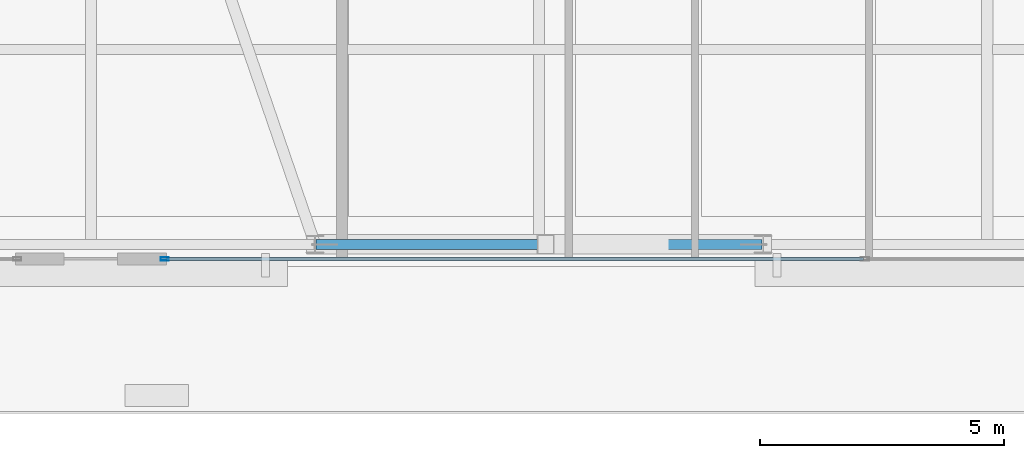
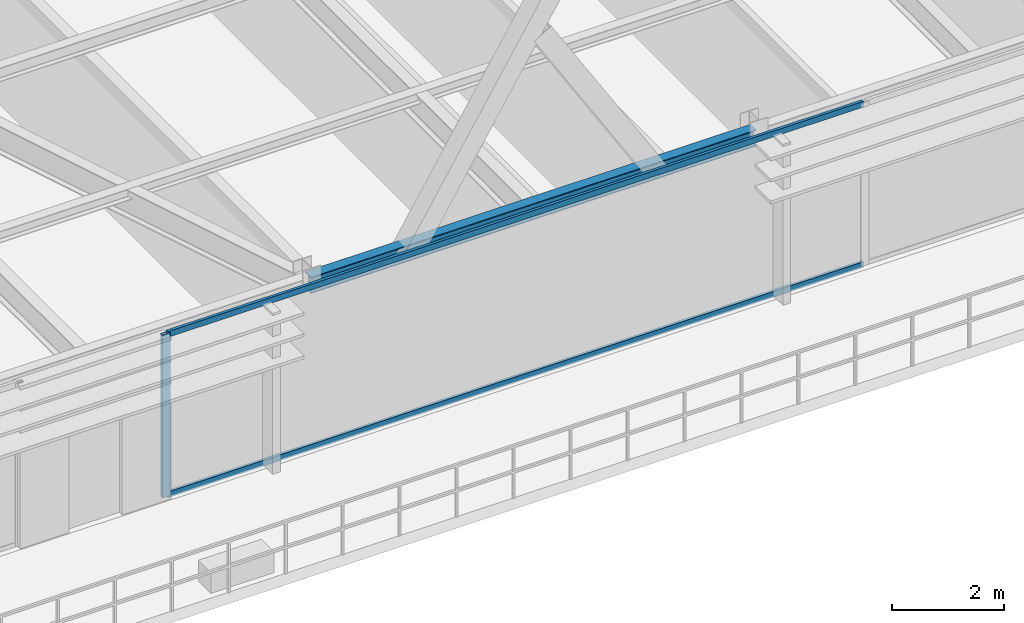
# One storey, part 8 of 33: 3 members, 1 beam, 1 element without a shape of its own.
"""IFC4 building model written with IfcOpenShell, lengths in metres."""

from ifc_helpers import new_model, si_unit, direction, frame, origin, origin_2d, place, context, subcontext, project, spatial, hollow_rectangle, i_section, extrude, source, transform, mapped, material, layer, layer_set, material_profile, profile_set, type_object, type_shapes, element, aggregate, save


model = new_model("IFC4")

# Units and contexts
model_context = context("Model", 3, precision=1e-05, world=origin(), true_north=direction((0.0, 1.0)))
body_context = subcontext(model_context, "Body", "Model", "MODEL_VIEW")
ifc_project = project(units=[si_unit("LENGTHUNIT", "METRE"), si_unit("AREAUNIT", "SQUARE_METRE"), si_unit("VOLUMEUNIT", "CUBIC_METRE"), si_unit("PLANEANGLEUNIT", "RADIAN"), si_unit("MASSUNIT", "GRAM", prefix="KILO")], contexts=[model_context])

# Site, building, storey
site_placement = place(None, origin())
site = spatial("IfcSite", under=ifc_project, at=site_placement, CompositionType="ELEMENT")
building_placement = place(site_placement, origin())
building = spatial("IfcBuilding", under=site, at=building_placement, Name="Varnel Quay Broadcast Tower", CompositionType="ELEMENT")
storey_placement = place(building_placement, frame((0.0, 0.0, 199.800048828125)))
storey = spatial("IfcBuildingStorey", under=building, at=storey_placement, Name="L49", CompositionType="ELEMENT", Elevation=199.800048828125)

# Beam
ifc_material_1 = material(Name="Structural Steel CSA G40.21 350W", Category="steel")
ifc_material_profile_1 = material_profile(ifc_material_1, i_section(OverallWidth=0.205078125, OverallDepth=0.35400390625, WebThickness=0.009521484375, FlangeThickness=0.016845703125, FilletRadius=0.012939453125, at=origin_2d()), Name="W360X79")
ifc_profile_set_1 = profile_set([ifc_material_profile_1], Name="Structural Steel CSA G40.21 350W")
beam_type = type_object("IfcBeamType", Name="Beam_W360X79", PredefinedType="SPANDREL", material=ifc_profile_set_1)
shared_shape_1 = source(origin(), body_context, "Body", "SweptSolid", [
    extrude(i_section(OverallWidth=0.205078125, OverallDepth=0.35400390625, WebThickness=0.009521484375, FlangeThickness=0.016845703125, FilletRadius=0.012939453125, at=origin_2d()), origin(), (0.0, 0.0, 1.0), 9.16015625),
])
type_shapes(beam_type, [shared_shape_1])
beam_placement = place(storey_placement, frame((29.419921875, 10.64990234375, 3.373046875), z_axis=(1.0, 0.0, 0.0), x_axis=(0.0, 1.0, 0.0)))
element("IfcBeam", 1, at=beam_placement, inside=storey, type_object=beam_type, Name="L49 South Spandrel TC-S2-TC-S3", PredefinedType="SPANDREL", context=body_context, shape_type="MappedRepresentation", body=[
    mapped(shared_shape_1, transform((0.0, 0.0, 0.0), x_axis=(1.0, 0.0, 0.0), y_axis=(0.0, 1.0, 0.0), z_axis=(0.0, 0.0, 1.0), scale=1.0)),
])

# Curtain wall, members
ifc_material_2 = material(Name="Anodised Bronze Aluminium 6063-T6", Category="aluminium")
ifc_layer = layer(ifc_material_2, 0.18994140625, Name="Anodised Bronze Aluminium 6063-T6")
ifc_layer_set = layer_set([ifc_layer], Name="Anodised Bronze Aluminium 6063-T6")
curtain_wall_type = type_object("IfcCurtainWallType", Name="CW_UpperTower", PredefinedType="NOTDEFINED", material=ifc_layer_set)
curtain_wall_placement = place(storey_placement, origin())
curtain_wall = element("IfcCurtainWall", 2, at=curtain_wall_placement, inside=storey, type_object=curtain_wall_type, Name="L49 South Unitised Curtain Wall 2", PredefinedType="NOTDEFINED")
ifc_material_profile_2 = material_profile(ifc_material_2, hollow_rectangle(XDim=0.06494140625, YDim=0.1650390625, WallThickness=0.00341796875, at=origin_2d()), Name="ALU65X165X3.5")
ifc_profile_set_2 = profile_set([ifc_material_profile_2], Name="Anodised Bronze Aluminium 6063-T6")
member_type_1 = type_object("IfcMemberType", Name="Mull_CWS-03", PredefinedType="MULLION", material=ifc_profile_set_2)
shared_shape_2 = source(origin(), body_context, "Body", "SweptSolid", [
    extrude(hollow_rectangle(XDim=0.06494140625, YDim=0.1650390625, WallThickness=0.00341796875, at=origin_2d()), origin(), (0.0, 0.0, 1.0), 3.550048828125),
])
type_shapes(member_type_1, [shared_shape_2])
member_1_placement = place(storey_placement, frame((26.3125, 10.35009765625, 0.0), z_axis=(0.0, 0.0, 1.0), x_axis=(0.0, 1.0, 0.0)))
member_1 = element("IfcMember", 3, at=member_1_placement, type_object=member_type_1, Name="CWS-03 mullion 1", PredefinedType="MULLION", context=body_context, shape_type="MappedRepresentation", body=[
    mapped(shared_shape_2, transform((0.0, 0.0, 0.0), x_axis=(1.0, 0.0, 0.0), y_axis=(0.0, 1.0, 0.0), z_axis=(0.0, 0.0, 1.0), scale=1.0)),
])
ifc_material_profile_3 = material_profile(ifc_material_2, hollow_rectangle(XDim=0.06005859375, YDim=0.125, WallThickness=0.0029296875, at=origin_2d()), Name="ALU60X125X3")
ifc_profile_set_3 = profile_set([ifc_material_profile_3], Name="Anodised Bronze Aluminium 6063-T6")
member_type_2 = type_object("IfcMemberType", Name="Tran_CWS-03", PredefinedType="USERDEFINED", material=ifc_profile_set_3)
shared_shape_3 = source(origin(), body_context, "Body", "SweptSolid", [
    extrude(hollow_rectangle(XDim=0.06005859375, YDim=0.125, WallThickness=0.0029296875, at=origin_2d()), origin(), (0.0, 0.0, 1.0), 14.3125),
])
type_shapes(member_type_2, [shared_shape_3])
member_2_placement = place(storey_placement, frame((26.344970703125, 10.35009765625, 0.030029296875), z_axis=(1.0, 0.0, 0.0), x_axis=(0.0, 1.0, 0.0)))
member_2 = element("IfcMember", 4, at=member_2_placement, type_object=member_type_2, Name="CWS-03 transom 1.1", ObjectType="TRANSOM", PredefinedType="USERDEFINED", context=body_context, shape_type="MappedRepresentation", body=[
    mapped(shared_shape_3, transform((0.0, 0.0, 0.0), x_axis=(1.0, 0.0, 0.0), y_axis=(0.0, 1.0, 0.0), z_axis=(0.0, 0.0, 1.0), scale=1.0)),
])
member_3_placement = place(storey_placement, frame((26.344970703125, 10.35009765625, 3.52001953125), z_axis=(1.0, 0.0, 0.0), x_axis=(0.0, 1.0, 0.0)))
member_3 = element("IfcMember", 5, at=member_3_placement, type_object=member_type_2, Name="CWS-03 transom 1.2", ObjectType="TRANSOM", PredefinedType="USERDEFINED", context=body_context, shape_type="MappedRepresentation", body=[
    mapped(shared_shape_3, transform((0.0, 0.0, 0.0), x_axis=(1.0, 0.0, 0.0), y_axis=(0.0, 1.0, 0.0), z_axis=(0.0, 0.0, 1.0), scale=1.0)),
])
aggregate(curtain_wall, [member_1, member_2, member_3])

save(model, "model.ifc")
